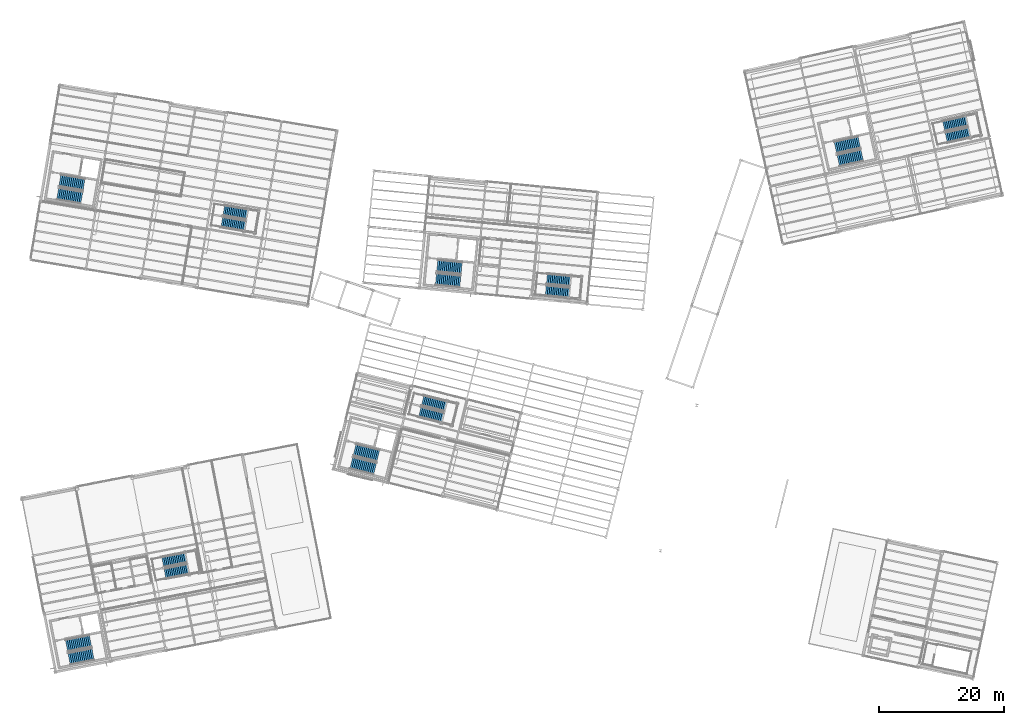
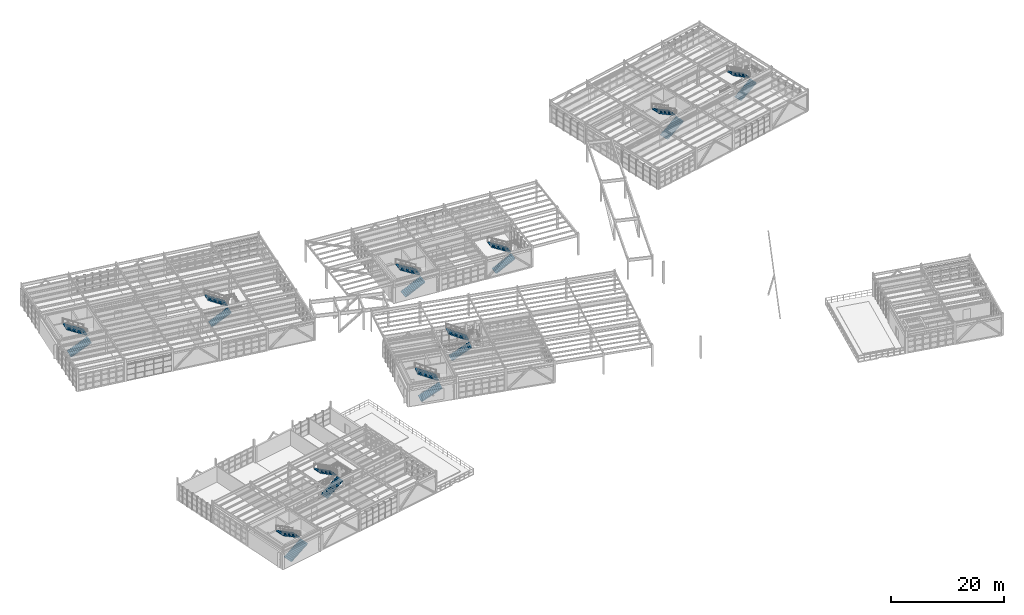
# One storey, part 96 of 109: 20 stair flights, 10 elements without a shape of their own.
"""IFC4 building model written with IfcOpenShell, lengths in metres."""

from ifc_helpers import new_model, si_unit, direction, frame, origin, place, context, subcontext, project, spatial, polyline, outline, extrude, material, type_object, element, aggregate, save


model = new_model("IFC4")

# Units and contexts
model_context = context("Model", 3, precision=1e-05, world=origin(), true_north=direction((0.0, 1.0)))
body_context = subcontext(model_context, "Body", "Model", "MODEL_VIEW")
ifc_project = project(units=[si_unit("LENGTHUNIT", "METRE"), si_unit("AREAUNIT", "SQUARE_METRE"), si_unit("VOLUMEUNIT", "CUBIC_METRE"), si_unit("PLANEANGLEUNIT", "RADIAN"), si_unit("MASSUNIT", "GRAM", prefix="KILO")], contexts=[model_context])

# Site, building, storey
site_placement = place(None, origin())
site = spatial("IfcSite", under=ifc_project, at=site_placement, CompositionType="ELEMENT")
building_placement = place(site_placement, origin())
building = spatial("IfcBuilding", under=site, at=building_placement, Name="Vireo Bluff Cable Station", CompositionType="ELEMENT")
storey_placement = place(building_placement, frame((0.0, 0.0, 4.800048828125)))
storey = spatial("IfcBuildingStorey", under=building, at=storey_placement, Name="L01", CompositionType="ELEMENT", Elevation=4.800048828125)

# Stair, stair flights
ifc_material = material(Name="Concrete f'c 40 MPa", Category="concrete")
stair_type_1 = type_object("IfcStairType", Name="STAIR-HT-1680", PredefinedType="HALF_TURN_STAIR", material=ifc_material)
stair_1_placement = place(storey_placement, origin())
stair_1 = element("IfcStair", 1, at=stair_1_placement, inside=storey, type_object=stair_type_1, Name="L01 Feature Concourse Stair ST-07", PredefinedType="HALF_TURN_STAIR")
stair_flight_type_1 = type_object("IfcStairFlightType", Name="FLIGHT-1680", PredefinedType="STRAIGHT", material=ifc_material)
stair_flight_1_placement = place(storey_placement, frame((27.0419921875, 21.277099609375, 0.0), z_axis=(0.0, 0.0, 1.0), x_axis=(0.981627183448, 0.190808995377, 0.0)))
stair_flight_1 = element("IfcStairFlight", 2, at=stair_flight_1_placement, type_object=stair_flight_type_1, Name="ST-07 flight 1", NumberOfRisers=14, NumberOfTreads=13, PredefinedType="STRAIGHT", RiserHeight=0.171428571, TreadLength=0.29, context=body_context, shape_type="SweptSolid", body=[
    extrude(outline(polyline([(0.0, 0.0), (0.0, 0.17138671875), (0.2900390625, 0.17138671875), (0.2900390625, 0.3427734375), (0.580078125, 0.3427734375), (0.580078125, 0.514404296875), (0.8701171875, 0.514404296875), (0.8701171875, 0.685791015625), (1.159912109375, 0.685791015625), (1.159912109375, 0.857177734375), (1.449951171875, 0.857177734375), (1.449951171875, 1.028564453125), (1.739990234375, 1.028564453125), (1.739990234375, 1.199951171875), (2.030029296875, 1.199951171875), (2.030029296875, 1.371337890625), (2.320068359375, 1.371337890625), (2.320068359375, 1.54296875), (2.610107421875, 1.54296875), (2.610107421875, 1.71435546875), (2.89990234375, 1.71435546875), (2.89990234375, 1.8857421875), (3.18994140625, 1.8857421875), (3.18994140625, 2.05712890625), (3.47998046875, 2.05712890625), (3.47998046875, 2.228515625), (3.77001953125, 2.228515625), (3.77001953125, 2.39990234375), (3.77001953125, 2.054443359375), (0.294677734375, 0.0), (0.0, 0.0)])), frame((0.0, 0.83984375, 0.0), z_axis=(0.0, -1.0, 0.0), x_axis=(1.0, 0.0, 0.0)), (0.0, 0.0, 1.0), 1.679931640625),
])
stair_flight_2_placement = place(storey_placement, frame((30.3837890625, 23.841796875, 2.39990234375), z_axis=(0.0, 0.0, 1.0), x_axis=(-0.981627183448, -0.190808995377, 0.0)))
stair_flight_2 = element("IfcStairFlight", 3, at=stair_flight_2_placement, type_object=stair_flight_type_1, Name="ST-07 flight 2", NumberOfRisers=14, NumberOfTreads=13, PredefinedType="STRAIGHT", RiserHeight=0.171428571, TreadLength=0.29, context=body_context, shape_type="SweptSolid", body=[
    extrude(outline(polyline([(0.0, 0.0), (0.0, 0.17138671875), (0.2900390625, 0.17138671875), (0.2900390625, 0.3427734375), (0.580078125, 0.3427734375), (0.580078125, 0.514404296875), (0.8701171875, 0.514404296875), (0.8701171875, 0.685791015625), (1.159912109375, 0.685791015625), (1.159912109375, 0.857177734375), (1.449951171875, 0.857177734375), (1.449951171875, 1.028564453125), (1.739990234375, 1.028564453125), (1.739990234375, 1.199951171875), (2.030029296875, 1.199951171875), (2.030029296875, 1.371337890625), (2.320068359375, 1.371337890625), (2.320068359375, 1.54296875), (2.610107421875, 1.54296875), (2.610107421875, 1.71435546875), (2.89990234375, 1.71435546875), (2.89990234375, 1.8857421875), (3.18994140625, 1.8857421875), (3.18994140625, 2.05712890625), (3.47998046875, 2.05712890625), (3.47998046875, 2.228515625), (3.77001953125, 2.228515625), (3.77001953125, 2.39990234375), (3.77001953125, 2.054443359375), (0.294677734375, 0.0), (0.0, 0.0)])), frame((0.0, 0.83984375, 0.0), z_axis=(0.0, -1.0, 0.0), x_axis=(1.0, 0.0, 0.0)), (0.0, 0.0, 1.0), 1.679931640625),
])
aggregate(stair_1, [stair_flight_1, stair_flight_2])

stair_2_placement = place(storey_placement, origin())
stair_2 = element("IfcStair", 4, at=stair_2_placement, inside=storey, type_object=stair_type_1, Name="L01 Feature Concourse Stair ST-08", PredefinedType="HALF_TURN_STAIR")
stair_flight_3_placement = place(storey_placement, frame((36.1513671875, 77.564208984375, 0.0), z_axis=(0.0, 0.0, 1.0), x_axis=(0.986285601537, -0.165047605861, 0.0)))
stair_flight_3 = element("IfcStairFlight", 5, at=stair_flight_3_placement, type_object=stair_flight_type_1, Name="ST-08 flight 1", NumberOfRisers=14, NumberOfTreads=13, PredefinedType="STRAIGHT", RiserHeight=0.171428571, TreadLength=0.29, context=body_context, shape_type="SweptSolid", body=[
    extrude(outline(polyline([(0.0, 0.0), (0.0, 0.17138671875), (0.2900390625, 0.17138671875), (0.2900390625, 0.3427734375), (0.580078125, 0.3427734375), (0.580078125, 0.514404296875), (0.8701171875, 0.514404296875), (0.8701171875, 0.685791015625), (1.159912109375, 0.685791015625), (1.159912109375, 0.857177734375), (1.449951171875, 0.857177734375), (1.449951171875, 1.028564453125), (1.739990234375, 1.028564453125), (1.739990234375, 1.199951171875), (2.030029296875, 1.199951171875), (2.030029296875, 1.371337890625), (2.320068359375, 1.371337890625), (2.320068359375, 1.54296875), (2.610107421875, 1.54296875), (2.610107421875, 1.71435546875), (2.89990234375, 1.71435546875), (2.89990234375, 1.8857421875), (3.18994140625, 1.8857421875), (3.18994140625, 2.05712890625), (3.47998046875, 2.05712890625), (3.47998046875, 2.228515625), (3.77001953125, 2.228515625), (3.77001953125, 2.39990234375), (3.77001953125, 2.054443359375), (0.294677734375, 0.0), (0.0, 0.0)])), frame((0.0, 0.83984375, 0.0), z_axis=(0.0, -1.0, 0.0), x_axis=(1.0, 0.0, 0.0)), (0.0, 0.0, 1.0), 1.679931640625),
])
stair_flight_4_placement = place(storey_placement, frame((40.179931640625, 78.796142578125, 2.39990234375), z_axis=(0.0, 0.0, 1.0), x_axis=(-0.986285601537, 0.165047605861, 0.0)))
stair_flight_4 = element("IfcStairFlight", 6, at=stair_flight_4_placement, type_object=stair_flight_type_1, Name="ST-08 flight 2", NumberOfRisers=14, NumberOfTreads=13, PredefinedType="STRAIGHT", RiserHeight=0.171428571, TreadLength=0.29, context=body_context, shape_type="SweptSolid", body=[
    extrude(outline(polyline([(0.0, 0.0), (0.0, 0.17138671875), (0.2900390625, 0.17138671875), (0.2900390625, 0.3427734375), (0.580078125, 0.3427734375), (0.580078125, 0.514404296875), (0.8701171875, 0.514404296875), (0.8701171875, 0.685791015625), (1.159912109375, 0.685791015625), (1.159912109375, 0.857177734375), (1.449951171875, 0.857177734375), (1.449951171875, 1.028564453125), (1.739990234375, 1.028564453125), (1.739990234375, 1.199951171875), (2.030029296875, 1.199951171875), (2.030029296875, 1.371337890625), (2.320068359375, 1.371337890625), (2.320068359375, 1.54296875), (2.610107421875, 1.54296875), (2.610107421875, 1.71435546875), (2.89990234375, 1.71435546875), (2.89990234375, 1.8857421875), (3.18994140625, 1.8857421875), (3.18994140625, 2.05712890625), (3.47998046875, 2.05712890625), (3.47998046875, 2.228515625), (3.77001953125, 2.228515625), (3.77001953125, 2.39990234375), (3.77001953125, 2.054443359375), (0.294677734375, 0.0), (0.0, 0.0)])), frame((0.0, 0.83984375, 0.0), z_axis=(0.0, -1.0, 0.0), x_axis=(1.0, 0.0, 0.0)), (0.0, 0.0, 1.0), 1.679931640625),
])
aggregate(stair_2, [stair_flight_3, stair_flight_4])

stair_3_placement = place(storey_placement, origin())
stair_3 = element("IfcStair", 7, at=stair_3_placement, inside=storey, type_object=stair_type_1, Name="L01 Feature Concourse Stair ST-09", PredefinedType="HALF_TURN_STAIR")
stair_flight_5_placement = place(storey_placement, frame((152.147705078125, 91.104736328125, 0.0), z_axis=(0.0, 0.0, 1.0), x_axis=(0.97629600712, 0.216439613938, 0.0)))
stair_flight_5 = element("IfcStairFlight", 8, at=stair_flight_5_placement, type_object=stair_flight_type_1, Name="ST-09 flight 1", NumberOfRisers=14, NumberOfTreads=13, PredefinedType="STRAIGHT", RiserHeight=0.171428571, TreadLength=0.29, context=body_context, shape_type="SweptSolid", body=[
    extrude(outline(polyline([(0.0, 0.0), (0.0, 0.17138671875), (0.2900390625, 0.17138671875), (0.2900390625, 0.3427734375), (0.580078125, 0.3427734375), (0.580078125, 0.514404296875), (0.8701171875, 0.514404296875), (0.8701171875, 0.685791015625), (1.159912109375, 0.685791015625), (1.159912109375, 0.857177734375), (1.449951171875, 0.857177734375), (1.449951171875, 1.028564453125), (1.739990234375, 1.028564453125), (1.739990234375, 1.199951171875), (2.030029296875, 1.199951171875), (2.030029296875, 1.371337890625), (2.320068359375, 1.371337890625), (2.320068359375, 1.54296875), (2.610107421875, 1.54296875), (2.610107421875, 1.71435546875), (2.89990234375, 1.71435546875), (2.89990234375, 1.8857421875), (3.18994140625, 1.8857421875), (3.18994140625, 2.05712890625), (3.47998046875, 2.05712890625), (3.47998046875, 2.228515625), (3.77001953125, 2.228515625), (3.77001953125, 2.39990234375), (3.77001953125, 2.054443359375), (0.294677734375, 0.0), (0.0, 0.0)])), frame((0.0, 0.83984375, 0.0), z_axis=(0.0, -1.0, 0.0), x_axis=(1.0, 0.0, 0.0)), (0.0, 0.0, 1.0), 1.679931640625),
])
stair_flight_6_placement = place(storey_placement, frame((155.42138671875, 93.75634765625, 2.39990234375), z_axis=(0.0, 0.0, 1.0), x_axis=(-0.97629600712, -0.216439613938, 0.0)))
stair_flight_6 = element("IfcStairFlight", 9, at=stair_flight_6_placement, type_object=stair_flight_type_1, Name="ST-09 flight 2", NumberOfRisers=14, NumberOfTreads=13, PredefinedType="STRAIGHT", RiserHeight=0.171428571, TreadLength=0.29, context=body_context, shape_type="SweptSolid", body=[
    extrude(outline(polyline([(0.0, 0.0), (0.0, 0.17138671875), (0.2900390625, 0.17138671875), (0.2900390625, 0.3427734375), (0.580078125, 0.3427734375), (0.580078125, 0.514404296875), (0.8701171875, 0.514404296875), (0.8701171875, 0.685791015625), (1.159912109375, 0.685791015625), (1.159912109375, 0.857177734375), (1.449951171875, 0.857177734375), (1.449951171875, 1.028564453125), (1.739990234375, 1.028564453125), (1.739990234375, 1.199951171875), (2.030029296875, 1.199951171875), (2.030029296875, 1.371337890625), (2.320068359375, 1.371337890625), (2.320068359375, 1.54296875), (2.610107421875, 1.54296875), (2.610107421875, 1.71435546875), (2.89990234375, 1.71435546875), (2.89990234375, 1.8857421875), (3.18994140625, 1.8857421875), (3.18994140625, 2.05712890625), (3.47998046875, 2.05712890625), (3.47998046875, 2.228515625), (3.77001953125, 2.228515625), (3.77001953125, 2.39990234375), (3.77001953125, 2.054443359375), (0.294677734375, 0.0), (0.0, 0.0)])), frame((0.0, 0.83984375, 0.0), z_axis=(0.0, -1.0, 0.0), x_axis=(1.0, 0.0, 0.0)), (0.0, 0.0, 1.0), 1.679931640625),
])
aggregate(stair_3, [stair_flight_5, stair_flight_6])

stair_4_placement = place(storey_placement, origin())
stair_4 = element("IfcStair", 10, at=stair_4_placement, inside=storey, type_object=stair_type_1, Name="L01 Feature Concourse Stair ST-10", PredefinedType="HALF_TURN_STAIR")
stair_flight_7_placement = place(storey_placement, frame((67.857666015625, 47.15966796875, 0.0), z_axis=(0.0, 0.0, 1.0), x_axis=(0.970295726276, -0.2419218956, 0.0)))
stair_flight_7 = element("IfcStairFlight", 11, at=stair_flight_7_placement, type_object=stair_flight_type_1, Name="ST-10 flight 1", NumberOfRisers=14, NumberOfTreads=13, PredefinedType="STRAIGHT", RiserHeight=0.171428571, TreadLength=0.29, context=body_context, shape_type="SweptSolid", body=[
    extrude(outline(polyline([(0.0, 0.0), (0.0, 0.17138671875), (0.2900390625, 0.17138671875), (0.2900390625, 0.3427734375), (0.580078125, 0.3427734375), (0.580078125, 0.514404296875), (0.8701171875, 0.514404296875), (0.8701171875, 0.685791015625), (1.159912109375, 0.685791015625), (1.159912109375, 0.857177734375), (1.449951171875, 0.857177734375), (1.449951171875, 1.028564453125), (1.739990234375, 1.028564453125), (1.739990234375, 1.199951171875), (2.030029296875, 1.199951171875), (2.030029296875, 1.371337890625), (2.320068359375, 1.371337890625), (2.320068359375, 1.54296875), (2.610107421875, 1.54296875), (2.610107421875, 1.71435546875), (2.89990234375, 1.71435546875), (2.89990234375, 1.8857421875), (3.18994140625, 1.8857421875), (3.18994140625, 2.05712890625), (3.47998046875, 2.05712890625), (3.47998046875, 2.228515625), (3.77001953125, 2.228515625), (3.77001953125, 2.39990234375), (3.77001953125, 2.054443359375), (0.294677734375, 0.0), (0.0, 0.0)])), frame((0.0, 0.83984375, 0.0), z_axis=(0.0, -1.0, 0.0), x_axis=(1.0, 0.0, 0.0)), (0.0, 0.0, 1.0), 1.679931640625),
])
stair_flight_8_placement = place(storey_placement, frame((71.970458984375, 48.07177734375, 2.39990234375), z_axis=(0.0, 0.0, 1.0), x_axis=(-0.970295726276, 0.2419218956, 0.0)))
stair_flight_8 = element("IfcStairFlight", 12, at=stair_flight_8_placement, type_object=stair_flight_type_1, Name="ST-10 flight 2", NumberOfRisers=14, NumberOfTreads=13, PredefinedType="STRAIGHT", RiserHeight=0.171428571, TreadLength=0.29, context=body_context, shape_type="SweptSolid", body=[
    extrude(outline(polyline([(0.0, 0.0), (0.0, 0.17138671875), (0.2900390625, 0.17138671875), (0.2900390625, 0.3427734375), (0.580078125, 0.3427734375), (0.580078125, 0.514404296875), (0.8701171875, 0.514404296875), (0.8701171875, 0.685791015625), (1.159912109375, 0.685791015625), (1.159912109375, 0.857177734375), (1.449951171875, 0.857177734375), (1.449951171875, 1.028564453125), (1.739990234375, 1.028564453125), (1.739990234375, 1.199951171875), (2.030029296875, 1.199951171875), (2.030029296875, 1.371337890625), (2.320068359375, 1.371337890625), (2.320068359375, 1.54296875), (2.610107421875, 1.54296875), (2.610107421875, 1.71435546875), (2.89990234375, 1.71435546875), (2.89990234375, 1.8857421875), (3.18994140625, 1.8857421875), (3.18994140625, 2.05712890625), (3.47998046875, 2.05712890625), (3.47998046875, 2.228515625), (3.77001953125, 2.228515625), (3.77001953125, 2.39990234375), (3.77001953125, 2.054443359375), (0.294677734375, 0.0), (0.0, 0.0)])), frame((0.0, 0.83984375, 0.0), z_axis=(0.0, -1.0, 0.0), x_axis=(1.0, 0.0, 0.0)), (0.0, 0.0, 1.0), 1.679931640625),
])
aggregate(stair_4, [stair_flight_7, stair_flight_8])

stair_5_placement = place(storey_placement, origin())
stair_5 = element("IfcStair", 13, at=stair_5_placement, inside=storey, type_object=stair_type_1, Name="L01 Feature Concourse Stair ST-11", PredefinedType="HALF_TURN_STAIR")
stair_flight_9_placement = place(storey_placement, frame((88.0224609375, 66.597900390625, 0.0), z_axis=(0.0, 0.0, 1.0), x_axis=(0.995396198367, -0.09584575252, 0.0)))
stair_flight_9 = element("IfcStairFlight", 14, at=stair_flight_9_placement, type_object=stair_flight_type_1, Name="ST-11 flight 1", NumberOfRisers=14, NumberOfTreads=13, PredefinedType="STRAIGHT", RiserHeight=0.171428571, TreadLength=0.29, context=body_context, shape_type="SweptSolid", body=[
    extrude(outline(polyline([(0.0, 0.0), (0.0, 0.17138671875), (0.2900390625, 0.17138671875), (0.2900390625, 0.3427734375), (0.580078125, 0.3427734375), (0.580078125, 0.514404296875), (0.8701171875, 0.514404296875), (0.8701171875, 0.685791015625), (1.159912109375, 0.685791015625), (1.159912109375, 0.857177734375), (1.449951171875, 0.857177734375), (1.449951171875, 1.028564453125), (1.739990234375, 1.028564453125), (1.739990234375, 1.199951171875), (2.030029296875, 1.199951171875), (2.030029296875, 1.371337890625), (2.320068359375, 1.371337890625), (2.320068359375, 1.54296875), (2.610107421875, 1.54296875), (2.610107421875, 1.71435546875), (2.89990234375, 1.71435546875), (2.89990234375, 1.8857421875), (3.18994140625, 1.8857421875), (3.18994140625, 2.05712890625), (3.47998046875, 2.05712890625), (3.47998046875, 2.228515625), (3.77001953125, 2.228515625), (3.77001953125, 2.39990234375), (3.77001953125, 2.054443359375), (0.294677734375, 0.0), (0.0, 0.0)])), frame((0.0, 0.83984375, 0.0), z_axis=(0.0, -1.0, 0.0), x_axis=(1.0, 0.0, 0.0)), (0.0, 0.0, 1.0), 1.679931640625),
])
stair_flight_10_placement = place(storey_placement, frame((91.955322265625, 68.10791015625, 2.39990234375), z_axis=(0.0, 0.0, 1.0), x_axis=(-0.995396198367, 0.09584575252, 0.0)))
stair_flight_10 = element("IfcStairFlight", 15, at=stair_flight_10_placement, type_object=stair_flight_type_1, Name="ST-11 flight 2", NumberOfRisers=14, NumberOfTreads=13, PredefinedType="STRAIGHT", RiserHeight=0.171428571, TreadLength=0.29, context=body_context, shape_type="SweptSolid", body=[
    extrude(outline(polyline([(0.0, 0.0), (0.0, 0.17138671875), (0.2900390625, 0.17138671875), (0.2900390625, 0.3427734375), (0.580078125, 0.3427734375), (0.580078125, 0.514404296875), (0.8701171875, 0.514404296875), (0.8701171875, 0.685791015625), (1.159912109375, 0.685791015625), (1.159912109375, 0.857177734375), (1.449951171875, 0.857177734375), (1.449951171875, 1.028564453125), (1.739990234375, 1.028564453125), (1.739990234375, 1.199951171875), (2.030029296875, 1.199951171875), (2.030029296875, 1.371337890625), (2.320068359375, 1.371337890625), (2.320068359375, 1.54296875), (2.610107421875, 1.54296875), (2.610107421875, 1.71435546875), (2.89990234375, 1.71435546875), (2.89990234375, 1.8857421875), (3.18994140625, 1.8857421875), (3.18994140625, 2.05712890625), (3.47998046875, 2.05712890625), (3.47998046875, 2.228515625), (3.77001953125, 2.228515625), (3.77001953125, 2.39990234375), (3.77001953125, 2.054443359375), (0.294677734375, 0.0), (0.0, 0.0)])), frame((0.0, 0.83984375, 0.0), z_axis=(0.0, -1.0, 0.0), x_axis=(1.0, 0.0, 0.0)), (0.0, 0.0, 1.0), 1.679931640625),
])
aggregate(stair_5, [stair_flight_9, stair_flight_10])

stair_type_2 = type_object("IfcStairType", Name="STAIR-HT-1950", PredefinedType="HALF_TURN_STAIR", material=ifc_material)
stair_6_placement = place(storey_placement, origin())
stair_6 = element("IfcStair", 16, at=stair_6_placement, inside=storey, type_object=stair_type_2, Name="L01 CORE-1 Exit Stair ST-01", PredefinedType="HALF_TURN_STAIR")
stair_flight_type_2 = type_object("IfcStairFlightType", Name="FLIGHT-1950", PredefinedType="STRAIGHT", material=ifc_material)
stair_flight_11_placement = place(storey_placement, frame((70.43701171875, 68.4267578125, 0.0), z_axis=(0.0, 0.0, 1.0), x_axis=(0.995396198367, -0.09584575252, 0.0)))
stair_flight_11 = element("IfcStairFlight", 17, at=stair_flight_11_placement, type_object=stair_flight_type_2, Name="ST-01 flight 1", NumberOfRisers=14, NumberOfTreads=13, PredefinedType="STRAIGHT", RiserHeight=0.171428571, TreadLength=0.3, context=body_context, shape_type="SweptSolid", body=[
    extrude(outline(polyline([(0.0, 0.0), (0.0, 0.17138671875), (0.300048828125, 0.17138671875), (0.300048828125, 0.3427734375), (0.60009765625, 0.3427734375), (0.60009765625, 0.514404296875), (0.89990234375, 0.514404296875), (0.89990234375, 0.685791015625), (1.199951171875, 0.685791015625), (1.199951171875, 0.857177734375), (1.5, 0.857177734375), (1.5, 1.028564453125), (1.800048828125, 1.028564453125), (1.800048828125, 1.199951171875), (2.10009765625, 1.199951171875), (2.10009765625, 1.371337890625), (2.39990234375, 1.371337890625), (2.39990234375, 1.54296875), (2.699951171875, 1.54296875), (2.699951171875, 1.71435546875), (3.0, 1.71435546875), (3.0, 1.8857421875), (3.300048828125, 1.8857421875), (3.300048828125, 2.05712890625), (3.60009765625, 2.05712890625), (3.60009765625, 2.228515625), (3.89990234375, 2.228515625), (3.89990234375, 2.39990234375), (3.89990234375, 2.055908203125), (0.30224609375, 0.0), (0.0, 0.0)])), frame((0.0, 0.97509765625, 0.0), z_axis=(0.0, -1.0, 0.0), x_axis=(1.0, 0.0, 0.0)), (0.0, 0.0, 1.0), 1.949951171875),
])
stair_flight_12_placement = place(storey_placement, frame((74.52490234375, 70.193115234375, 2.39990234375), z_axis=(0.0, 0.0, 1.0), x_axis=(-0.995396198367, 0.09584575252, 0.0)))
stair_flight_12 = element("IfcStairFlight", 18, at=stair_flight_12_placement, type_object=stair_flight_type_2, Name="ST-01 flight 2", NumberOfRisers=14, NumberOfTreads=13, PredefinedType="STRAIGHT", RiserHeight=0.171428571, TreadLength=0.3, context=body_context, shape_type="SweptSolid", body=[
    extrude(outline(polyline([(0.0, 0.0), (0.0, 0.17138671875), (0.300048828125, 0.17138671875), (0.300048828125, 0.3427734375), (0.60009765625, 0.3427734375), (0.60009765625, 0.514404296875), (0.89990234375, 0.514404296875), (0.89990234375, 0.685791015625), (1.199951171875, 0.685791015625), (1.199951171875, 0.857177734375), (1.5, 0.857177734375), (1.5, 1.028564453125), (1.800048828125, 1.028564453125), (1.800048828125, 1.199951171875), (2.10009765625, 1.199951171875), (2.10009765625, 1.371337890625), (2.39990234375, 1.371337890625), (2.39990234375, 1.54296875), (2.699951171875, 1.54296875), (2.699951171875, 1.71435546875), (3.0, 1.71435546875), (3.0, 1.8857421875), (3.300048828125, 1.8857421875), (3.300048828125, 2.05712890625), (3.60009765625, 2.05712890625), (3.60009765625, 2.228515625), (3.89990234375, 2.228515625), (3.89990234375, 2.39990234375), (3.89990234375, 2.055908203125), (0.30224609375, 0.0), (0.0, 0.0)])), frame((0.0, 0.97509765625, 0.0), z_axis=(0.0, -1.0, 0.0), x_axis=(1.0, 0.0, 0.0)), (0.0, 0.0, 1.0), 1.949951171875),
])
aggregate(stair_6, [stair_flight_11, stair_flight_12])

stair_7_placement = place(storey_placement, origin())
stair_7 = element("IfcStair", 19, at=stair_7_placement, inside=storey, type_object=stair_type_2, Name="L01 CORE-2 Exit Stair ST-02", PredefinedType="HALF_TURN_STAIR")
stair_flight_13_placement = place(storey_placement, frame((56.87939453125, 39.00830078125, 0.0), z_axis=(0.0, 0.0, 1.0), x_axis=(0.970295726276, -0.2419218956, 0.0)))
stair_flight_13 = element("IfcStairFlight", 20, at=stair_flight_13_placement, type_object=stair_flight_type_2, Name="ST-02 flight 1", NumberOfRisers=14, NumberOfTreads=13, PredefinedType="STRAIGHT", RiserHeight=0.171428571, TreadLength=0.3, context=body_context, shape_type="SweptSolid", body=[
    extrude(outline(polyline([(0.0, 0.0), (0.0, 0.17138671875), (0.300048828125, 0.17138671875), (0.300048828125, 0.3427734375), (0.60009765625, 0.3427734375), (0.60009765625, 0.514404296875), (0.89990234375, 0.514404296875), (0.89990234375, 0.685791015625), (1.199951171875, 0.685791015625), (1.199951171875, 0.857177734375), (1.5, 0.857177734375), (1.5, 1.028564453125), (1.800048828125, 1.028564453125), (1.800048828125, 1.199951171875), (2.10009765625, 1.199951171875), (2.10009765625, 1.371337890625), (2.39990234375, 1.371337890625), (2.39990234375, 1.54296875), (2.699951171875, 1.54296875), (2.699951171875, 1.71435546875), (3.0, 1.71435546875), (3.0, 1.8857421875), (3.300048828125, 1.8857421875), (3.300048828125, 2.05712890625), (3.60009765625, 2.05712890625), (3.60009765625, 2.228515625), (3.89990234375, 2.228515625), (3.89990234375, 2.39990234375), (3.89990234375, 2.055908203125), (0.30224609375, 0.0), (0.0, 0.0)])), frame((0.0, 0.97509765625, 0.0), z_axis=(0.0, -1.0, 0.0), x_axis=(1.0, 0.0, 0.0)), (0.0, 0.0, 1.0), 1.949951171875),
])
stair_flight_14_placement = place(storey_placement, frame((61.183837890625, 40.15087890625, 2.39990234375), z_axis=(0.0, 0.0, 1.0), x_axis=(-0.970295726276, 0.2419218956, 0.0)))
stair_flight_14 = element("IfcStairFlight", 21, at=stair_flight_14_placement, type_object=stair_flight_type_2, Name="ST-02 flight 2", NumberOfRisers=14, NumberOfTreads=13, PredefinedType="STRAIGHT", RiserHeight=0.171428571, TreadLength=0.3, context=body_context, shape_type="SweptSolid", body=[
    extrude(outline(polyline([(0.0, 0.0), (0.0, 0.17138671875), (0.300048828125, 0.17138671875), (0.300048828125, 0.3427734375), (0.60009765625, 0.3427734375), (0.60009765625, 0.514404296875), (0.89990234375, 0.514404296875), (0.89990234375, 0.685791015625), (1.199951171875, 0.685791015625), (1.199951171875, 0.857177734375), (1.5, 0.857177734375), (1.5, 1.028564453125), (1.800048828125, 1.028564453125), (1.800048828125, 1.199951171875), (2.10009765625, 1.199951171875), (2.10009765625, 1.371337890625), (2.39990234375, 1.371337890625), (2.39990234375, 1.54296875), (2.699951171875, 1.54296875), (2.699951171875, 1.71435546875), (3.0, 1.71435546875), (3.0, 1.8857421875), (3.300048828125, 1.8857421875), (3.300048828125, 2.05712890625), (3.60009765625, 2.05712890625), (3.60009765625, 2.228515625), (3.89990234375, 2.228515625), (3.89990234375, 2.39990234375), (3.89990234375, 2.055908203125), (0.30224609375, 0.0), (0.0, 0.0)])), frame((0.0, 0.97509765625, 0.0), z_axis=(0.0, -1.0, 0.0), x_axis=(1.0, 0.0, 0.0)), (0.0, 0.0, 1.0), 1.949951171875),
])
aggregate(stair_7, [stair_flight_13, stair_flight_14])

stair_8_placement = place(storey_placement, origin())
stair_8 = element("IfcStair", 22, at=stair_8_placement, inside=storey, type_object=stair_type_2, Name="L01 CORE-3 Exit Stair ST-03", PredefinedType="HALF_TURN_STAIR")
stair_flight_15_placement = place(storey_placement, frame((9.859375, 82.100830078125, 0.0), z_axis=(0.0, 0.0, 1.0), x_axis=(0.986285601537, -0.165047605861, 0.0)))
stair_flight_15 = element("IfcStairFlight", 23, at=stair_flight_15_placement, type_object=stair_flight_type_2, Name="ST-03 flight 1", NumberOfRisers=14, NumberOfTreads=13, PredefinedType="STRAIGHT", RiserHeight=0.171428571, TreadLength=0.3, context=body_context, shape_type="SweptSolid", body=[
    extrude(outline(polyline([(0.0, 0.0), (0.0, 0.17138671875), (0.300048828125, 0.17138671875), (0.300048828125, 0.3427734375), (0.60009765625, 0.3427734375), (0.60009765625, 0.514404296875), (0.89990234375, 0.514404296875), (0.89990234375, 0.685791015625), (1.199951171875, 0.685791015625), (1.199951171875, 0.857177734375), (1.5, 0.857177734375), (1.5, 1.028564453125), (1.800048828125, 1.028564453125), (1.800048828125, 1.199951171875), (2.10009765625, 1.199951171875), (2.10009765625, 1.371337890625), (2.39990234375, 1.371337890625), (2.39990234375, 1.54296875), (2.699951171875, 1.54296875), (2.699951171875, 1.71435546875), (3.0, 1.71435546875), (3.0, 1.8857421875), (3.300048828125, 1.8857421875), (3.300048828125, 2.05712890625), (3.60009765625, 2.05712890625), (3.60009765625, 2.228515625), (3.89990234375, 2.228515625), (3.89990234375, 2.39990234375), (3.89990234375, 2.055908203125), (0.30224609375, 0.0), (0.0, 0.0)])), frame((0.0, 0.97509765625, 0.0), z_axis=(0.0, -1.0, 0.0), x_axis=(1.0, 0.0, 0.0)), (0.0, 0.0, 1.0), 1.949951171875),
])
stair_flight_16_placement = place(storey_placement, frame((14.060791015625, 83.57763671875, 2.39990234375), z_axis=(0.0, 0.0, 1.0), x_axis=(-0.986285601537, 0.165047605861, 0.0)))
stair_flight_16 = element("IfcStairFlight", 24, at=stair_flight_16_placement, type_object=stair_flight_type_2, Name="ST-03 flight 2", NumberOfRisers=14, NumberOfTreads=13, PredefinedType="STRAIGHT", RiserHeight=0.171428571, TreadLength=0.3, context=body_context, shape_type="SweptSolid", body=[
    extrude(outline(polyline([(0.0, 0.0), (0.0, 0.17138671875), (0.300048828125, 0.17138671875), (0.300048828125, 0.3427734375), (0.60009765625, 0.3427734375), (0.60009765625, 0.514404296875), (0.89990234375, 0.514404296875), (0.89990234375, 0.685791015625), (1.199951171875, 0.685791015625), (1.199951171875, 0.857177734375), (1.5, 0.857177734375), (1.5, 1.028564453125), (1.800048828125, 1.028564453125), (1.800048828125, 1.199951171875), (2.10009765625, 1.199951171875), (2.10009765625, 1.371337890625), (2.39990234375, 1.371337890625), (2.39990234375, 1.54296875), (2.699951171875, 1.54296875), (2.699951171875, 1.71435546875), (3.0, 1.71435546875), (3.0, 1.8857421875), (3.300048828125, 1.8857421875), (3.300048828125, 2.05712890625), (3.60009765625, 2.05712890625), (3.60009765625, 2.228515625), (3.89990234375, 2.228515625), (3.89990234375, 2.39990234375), (3.89990234375, 2.055908203125), (0.30224609375, 0.0), (0.0, 0.0)])), frame((0.0, 0.97509765625, 0.0), z_axis=(0.0, -1.0, 0.0), x_axis=(1.0, 0.0, 0.0)), (0.0, 0.0, 1.0), 1.949951171875),
])
aggregate(stair_8, [stair_flight_15, stair_flight_16])

stair_9_placement = place(storey_placement, origin())
stair_9 = element("IfcStair", 25, at=stair_9_placement, inside=storey, type_object=stair_type_2, Name="L01 CORE-4 Exit Stair ST-04", PredefinedType="HALF_TURN_STAIR")
stair_flight_17_placement = place(storey_placement, frame((134.857421875, 87.409912109375, 0.0), z_axis=(0.0, 0.0, 1.0), x_axis=(0.97629600712, 0.216439613938, 0.0)))
stair_flight_17 = element("IfcStairFlight", 26, at=stair_flight_17_placement, type_object=stair_flight_type_2, Name="ST-04 flight 1", NumberOfRisers=14, NumberOfTreads=13, PredefinedType="STRAIGHT", RiserHeight=0.171428571, TreadLength=0.3, context=body_context, shape_type="SweptSolid", body=[
    extrude(outline(polyline([(0.0, 0.0), (0.0, 0.17138671875), (0.300048828125, 0.17138671875), (0.300048828125, 0.3427734375), (0.60009765625, 0.3427734375), (0.60009765625, 0.514404296875), (0.89990234375, 0.514404296875), (0.89990234375, 0.685791015625), (1.199951171875, 0.685791015625), (1.199951171875, 0.857177734375), (1.5, 0.857177734375), (1.5, 1.028564453125), (1.800048828125, 1.028564453125), (1.800048828125, 1.199951171875), (2.10009765625, 1.199951171875), (2.10009765625, 1.371337890625), (2.39990234375, 1.371337890625), (2.39990234375, 1.54296875), (2.699951171875, 1.54296875), (2.699951171875, 1.71435546875), (3.0, 1.71435546875), (3.0, 1.8857421875), (3.300048828125, 1.8857421875), (3.300048828125, 2.05712890625), (3.60009765625, 2.05712890625), (3.60009765625, 2.228515625), (3.89990234375, 2.228515625), (3.89990234375, 2.39990234375), (3.89990234375, 2.055908203125), (0.30224609375, 0.0), (0.0, 0.0)])), frame((0.0, 0.97509765625, 0.0), z_axis=(0.0, -1.0, 0.0), x_axis=(1.0, 0.0, 0.0)), (0.0, 0.0, 1.0), 1.949951171875),
])
stair_flight_18_placement = place(storey_placement, frame((138.19970703125, 90.35302734375, 2.39990234375), z_axis=(0.0, 0.0, 1.0), x_axis=(-0.97629600712, -0.216439613938, 0.0)))
stair_flight_18 = element("IfcStairFlight", 27, at=stair_flight_18_placement, type_object=stair_flight_type_2, Name="ST-04 flight 2", NumberOfRisers=14, NumberOfTreads=13, PredefinedType="STRAIGHT", RiserHeight=0.171428571, TreadLength=0.3, context=body_context, shape_type="SweptSolid", body=[
    extrude(outline(polyline([(0.0, 0.0), (0.0, 0.17138671875), (0.300048828125, 0.17138671875), (0.300048828125, 0.3427734375), (0.60009765625, 0.3427734375), (0.60009765625, 0.514404296875), (0.89990234375, 0.514404296875), (0.89990234375, 0.685791015625), (1.199951171875, 0.685791015625), (1.199951171875, 0.857177734375), (1.5, 0.857177734375), (1.5, 1.028564453125), (1.800048828125, 1.028564453125), (1.800048828125, 1.199951171875), (2.10009765625, 1.199951171875), (2.10009765625, 1.371337890625), (2.39990234375, 1.371337890625), (2.39990234375, 1.54296875), (2.699951171875, 1.54296875), (2.699951171875, 1.71435546875), (3.0, 1.71435546875), (3.0, 1.8857421875), (3.300048828125, 1.8857421875), (3.300048828125, 2.05712890625), (3.60009765625, 2.05712890625), (3.60009765625, 2.228515625), (3.89990234375, 2.228515625), (3.89990234375, 2.39990234375), (3.89990234375, 2.055908203125), (0.30224609375, 0.0), (0.0, 0.0)])), frame((0.0, 0.97509765625, 0.0), z_axis=(0.0, -1.0, 0.0), x_axis=(1.0, 0.0, 0.0)), (0.0, 0.0, 1.0), 1.949951171875),
])
aggregate(stair_9, [stair_flight_17, stair_flight_18])

stair_10_placement = place(storey_placement, origin())
stair_10 = element("IfcStair", 28, at=stair_10_placement, inside=storey, type_object=stair_type_2, Name="L01 CORE-5 Exit Stair ST-05", PredefinedType="HALF_TURN_STAIR")
stair_flight_19_placement = place(storey_placement, frame((11.68359375, 7.630859375, 0.0), z_axis=(0.0, 0.0, 1.0), x_axis=(0.981627183448, 0.190808995377, 0.0)))
stair_flight_19 = element("IfcStairFlight", 29, at=stair_flight_19_placement, type_object=stair_flight_type_2, Name="ST-05 flight 1", NumberOfRisers=14, NumberOfTreads=13, PredefinedType="STRAIGHT", RiserHeight=0.171428571, TreadLength=0.3, context=body_context, shape_type="SweptSolid", body=[
    extrude(outline(polyline([(0.0, 0.0), (0.0, 0.17138671875), (0.300048828125, 0.17138671875), (0.300048828125, 0.3427734375), (0.60009765625, 0.3427734375), (0.60009765625, 0.514404296875), (0.89990234375, 0.514404296875), (0.89990234375, 0.685791015625), (1.199951171875, 0.685791015625), (1.199951171875, 0.857177734375), (1.5, 0.857177734375), (1.5, 1.028564453125), (1.800048828125, 1.028564453125), (1.800048828125, 1.199951171875), (2.10009765625, 1.199951171875), (2.10009765625, 1.371337890625), (2.39990234375, 1.371337890625), (2.39990234375, 1.54296875), (2.699951171875, 1.54296875), (2.699951171875, 1.71435546875), (3.0, 1.71435546875), (3.0, 1.8857421875), (3.300048828125, 1.8857421875), (3.300048828125, 2.05712890625), (3.60009765625, 2.05712890625), (3.60009765625, 2.228515625), (3.89990234375, 2.228515625), (3.89990234375, 2.39990234375), (3.89990234375, 2.055908203125), (0.30224609375, 0.0), (0.0, 0.0)])), frame((0.0, 0.97509765625, 0.0), z_axis=(0.0, -1.0, 0.0), x_axis=(1.0, 0.0, 0.0)), (0.0, 0.0, 1.0), 1.949951171875),
])
stair_flight_20_placement = place(storey_placement, frame((15.1015625, 10.4853515625, 2.39990234375), z_axis=(0.0, 0.0, 1.0), x_axis=(-0.981627183448, -0.190808995377, 0.0)))
stair_flight_20 = element("IfcStairFlight", 30, at=stair_flight_20_placement, type_object=stair_flight_type_2, Name="ST-05 flight 2", NumberOfRisers=14, NumberOfTreads=13, PredefinedType="STRAIGHT", RiserHeight=0.171428571, TreadLength=0.3, context=body_context, shape_type="SweptSolid", body=[
    extrude(outline(polyline([(0.0, 0.0), (0.0, 0.17138671875), (0.300048828125, 0.17138671875), (0.300048828125, 0.3427734375), (0.60009765625, 0.3427734375), (0.60009765625, 0.514404296875), (0.89990234375, 0.514404296875), (0.89990234375, 0.685791015625), (1.199951171875, 0.685791015625), (1.199951171875, 0.857177734375), (1.5, 0.857177734375), (1.5, 1.028564453125), (1.800048828125, 1.028564453125), (1.800048828125, 1.199951171875), (2.10009765625, 1.199951171875), (2.10009765625, 1.371337890625), (2.39990234375, 1.371337890625), (2.39990234375, 1.54296875), (2.699951171875, 1.54296875), (2.699951171875, 1.71435546875), (3.0, 1.71435546875), (3.0, 1.8857421875), (3.300048828125, 1.8857421875), (3.300048828125, 2.05712890625), (3.60009765625, 2.05712890625), (3.60009765625, 2.228515625), (3.89990234375, 2.228515625), (3.89990234375, 2.39990234375), (3.89990234375, 2.055908203125), (0.30224609375, 0.0), (0.0, 0.0)])), frame((0.0, 0.97509765625, 0.0), z_axis=(0.0, -1.0, 0.0), x_axis=(1.0, 0.0, 0.0)), (0.0, 0.0, 1.0), 1.949951171875),
])
aggregate(stair_10, [stair_flight_19, stair_flight_20])

save(model, "model.ifc")
